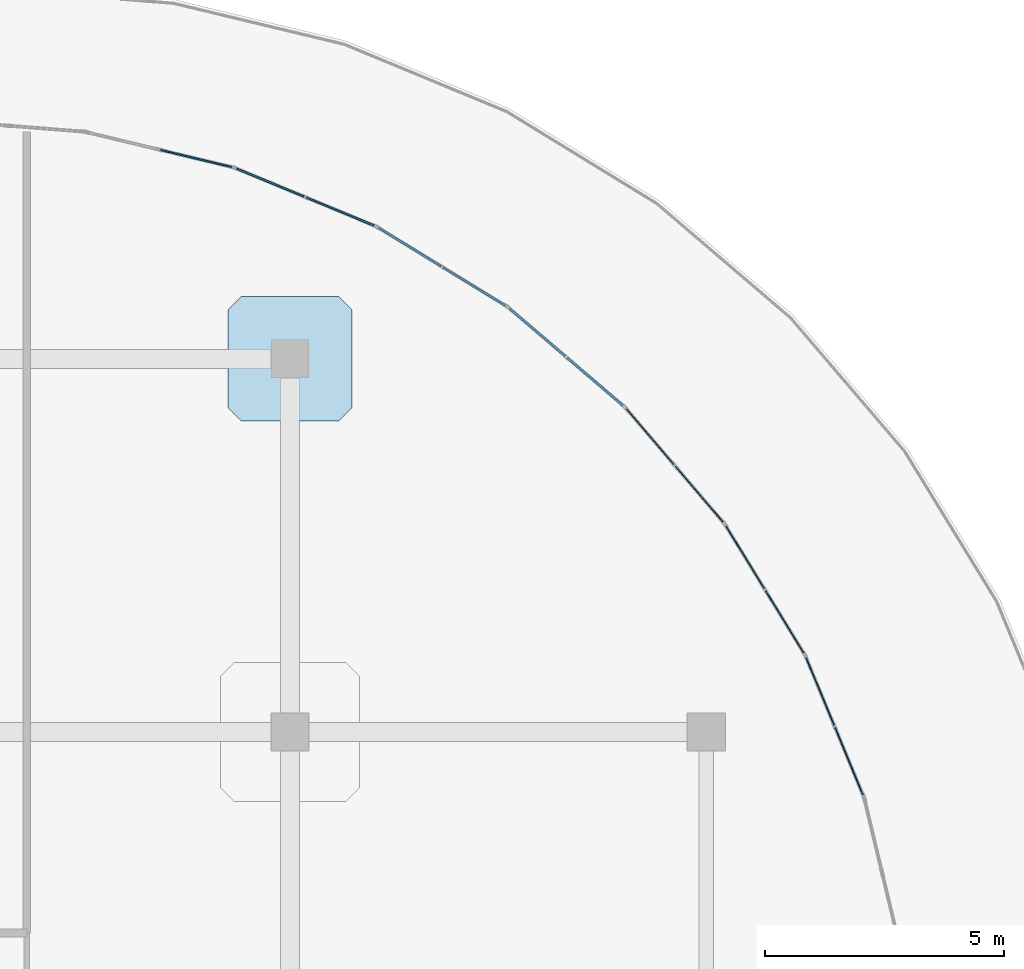
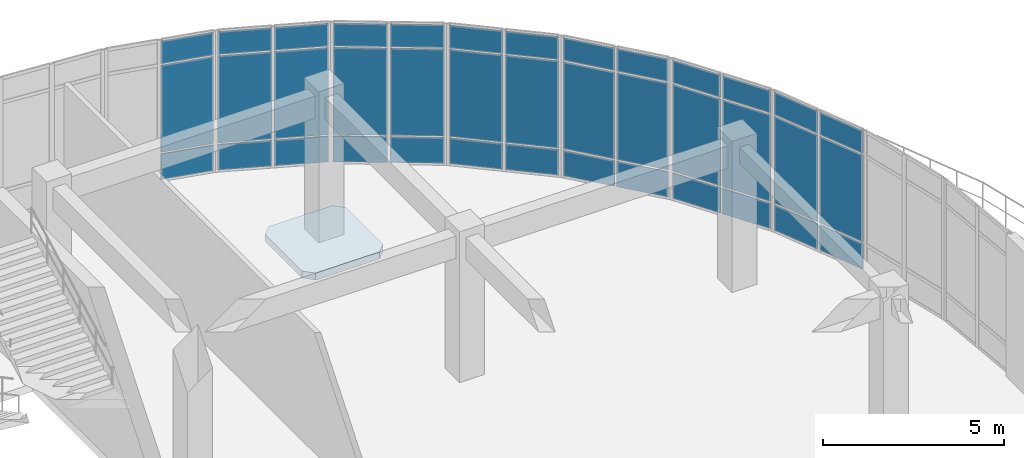
# One storey, part 103 of 124: 39 plates, 1 slab, 7 elements without a shape of their own.
"""IFC4 building model written with IfcOpenShell, lengths in metres."""

from ifc_helpers import new_model, si_unit, derived_unit, direction, frame, origin, origin_2d, place, context, subcontext, project, spatial, polyline, rectangle, outline, extrude, material, layer, layer_set, type_object, element, aggregate, save


model = new_model("IFC4")

# Units and contexts
model_context = context("Model", 3, precision=1e-05, world=origin(), true_north=direction((0.0, 1.0)))
body_context = subcontext(model_context, "Body", "Model", "MODEL_VIEW")
ifc_project = project(units=[si_unit("LENGTHUNIT", "METRE"), si_unit("AREAUNIT", "SQUARE_METRE"), si_unit("VOLUMEUNIT", "CUBIC_METRE"), si_unit("PLANEANGLEUNIT", "RADIAN"), si_unit("MASSUNIT", "GRAM", prefix="KILO"), derived_unit("THERMALTRANSMITTANCEUNIT", [(si_unit("MASSUNIT", "GRAM", prefix="KILO"), 1), (si_unit("TIMEUNIT", "SECOND"), -3), (si_unit("THERMODYNAMICTEMPERATUREUNIT", "KELVIN"), -1)])], contexts=[model_context])

# Site, building, storey
site_placement = place(None, origin())
site = spatial("IfcSite", under=ifc_project, at=site_placement, CompositionType="ELEMENT")
building_placement = place(site_placement, origin())
building = spatial("IfcBuilding", under=site, at=building_placement, Name="Qinzheling Arcade Emporium", CompositionType="ELEMENT")
storey_placement = place(building_placement, frame((0.0, 0.0, 16.5)))
storey = spatial("IfcBuildingStorey", under=building, at=storey_placement, Name="L04", CompositionType="ELEMENT", Elevation=16.5)

# Slab
ifc_material_1 = material(Name="Concrete C40", Category="concrete")
ifc_layer_1 = layer(ifc_material_1, 0.235107421875, Name="Concrete C40", Category="concrete")
ifc_layer_set_1 = layer_set([ifc_layer_1], Name="Concrete C40")
slab_type = type_object("IfcSlabType", Name="Column Head Drop Panel 2600x2600x235 C40", PredefinedType="USERDEFINED", material=ifc_layer_set_1)
slab_placement = place(storey_placement, frame((0.0, 0.0, -0.5)))
element("IfcSlab", 1, at=slab_placement, inside=storey, type_object=slab_type, Name="Column Drop Panel DP-L04-16-N", ObjectType="DROP_PANEL", PredefinedType="USERDEFINED", context=body_context, shape_type="SweptSolid", body=[
    extrude(outline(polyline([(129.47998046875, 105.5), (131.52001953125, 105.5), (131.800048828125, 105.780029296875), (131.800048828125, 107.820068359375), (131.52001953125, 108.10009765625), (129.47998046875, 108.10009765625), (129.199951171875, 107.820068359375), (129.199951171875, 105.780029296875), (129.47998046875, 105.5)])), origin(), (0.0, 0.0, 1.0), 0.235107421875),
])

# Curtain wall, plates
ifc_material_2 = material(Name="Anodised aluminium and solar-control double glazing", Category="aluminium")
ifc_layer_2 = layer(ifc_material_2, 0.159912109375, Name="Anodised aluminium and solar-control double glazing", Category="aluminium")
ifc_layer_set_2 = layer_set([ifc_layer_2], Name="Anodised aluminium and solar-control double glazing")
curtain_wall_type = type_object("IfcCurtainWallType", Name="Curved Ribbon Sales Curtain Wall", PredefinedType="NOTDEFINED", material=ifc_layer_set_2)
curtain_wall_1_placement = place(storey_placement, origin())
curtain_wall_1 = element("IfcCurtainWall", 2, at=curtain_wall_1_placement, inside=storey, type_object=curtain_wall_type, Name="Curtain Wall CW-L04-269", PredefinedType="NOTDEFINED")
ifc_material_3 = material(Name="Laminated solar-control double glazing", Category="glass")
ifc_layer_3 = layer(ifc_material_3, 0.02099609375, Name="Laminated solar-control double glazing", Category="glass")
ifc_layer_set_3 = layer_set([ifc_layer_3], Name="Laminated solar-control double glazing")
plate_type_1 = type_object("IfcPlateType", Name="Low-E Double Glazed Curtain Panel 21mm", PredefinedType="CURTAIN_PANEL", material=ifc_layer_set_3)
plate_1_placement = place(storey_placement, frame((138.028076171875, 105.173095703125, 0.06005859375), z_axis=(0.0, 0.0, 1.0), x_axis=(0.64943342373, -0.760418455945, 0.0)))
plate_1 = element("IfcPlate", 3, at=plate_1_placement, type_object=plate_type_1, Name="CW02 panel 1.1", PredefinedType="CURTAIN_PANEL", context=body_context, shape_type="SweptSolid", body=[
    extrude(rectangle(XDim=1.518310546875, YDim=0.02099609375, at=origin_2d()), origin(), (0.0, 0.0, 1.0), 0.860107421875),
])
plate_2_placement = place(storey_placement, frame((138.028076171875, 105.173095703125, 0.97998046875), z_axis=(0.0, 0.0, 1.0), x_axis=(0.64943342373, -0.760418455945, 0.0)))
plate_2 = element("IfcPlate", 4, at=plate_2_placement, type_object=plate_type_1, Name="CW02 panel 1.2", PredefinedType="CURTAIN_PANEL", context=body_context, shape_type="SweptSolid", body=[
    extrude(rectangle(XDim=1.518310546875, YDim=0.02099609375, at=origin_2d()), origin(), (0.0, 0.0, 1.0), 2.929931640625),
])
plate_3_placement = place(storey_placement, frame((138.028076171875, 105.173095703125, 3.97021484375), z_axis=(0.0, 0.0, 1.0), x_axis=(0.64943342373, -0.760418455945, 0.0)))
plate_3 = element("IfcPlate", 5, at=plate_3_placement, type_object=plate_type_1, Name="CW02 panel 1.3", PredefinedType="CURTAIN_PANEL", context=body_context, shape_type="SweptSolid", body=[
    extrude(rectangle(XDim=1.518310546875, YDim=0.02099609375, at=origin_2d()), origin(), (0.0, 0.0, 1.0), 0.760009765625),
])
plate_4_placement = place(storey_placement, frame((139.052978515625, 103.972900390625, 0.06005859375), z_axis=(0.0, 0.0, 1.0), x_axis=(0.64943342373, -0.760418455945, 0.0)))
plate_4 = element("IfcPlate", 6, at=plate_4_placement, type_object=plate_type_1, Name="CW02 panel 2.1", PredefinedType="CURTAIN_PANEL", context=body_context, shape_type="SweptSolid", body=[
    extrude(rectangle(XDim=1.518310546875, YDim=0.02099609375, at=origin_2d()), origin(), (0.0, 0.0, 1.0), 0.860107421875),
])
plate_5_placement = place(storey_placement, frame((139.052978515625, 103.972900390625, 0.97998046875), z_axis=(0.0, 0.0, 1.0), x_axis=(0.64943342373, -0.760418455945, 0.0)))
plate_5 = element("IfcPlate", 7, at=plate_5_placement, type_object=plate_type_1, Name="CW02 panel 2.2", PredefinedType="CURTAIN_PANEL", context=body_context, shape_type="SweptSolid", body=[
    extrude(rectangle(XDim=1.518310546875, YDim=0.02099609375, at=origin_2d()), origin(), (0.0, 0.0, 1.0), 2.929931640625),
])
plate_6_placement = place(storey_placement, frame((139.052978515625, 103.972900390625, 3.97021484375), z_axis=(0.0, 0.0, 1.0), x_axis=(0.64943342373, -0.760418455945, 0.0)))
plate_6 = element("IfcPlate", 8, at=plate_6_placement, type_object=plate_type_1, Name="CW02 panel 2.3", PredefinedType="CURTAIN_PANEL", context=body_context, shape_type="SweptSolid", body=[
    extrude(rectangle(XDim=1.518310546875, YDim=0.02099609375, at=origin_2d()), origin(), (0.0, 0.0, 1.0), 0.760009765625),
])
aggregate(curtain_wall_1, [plate_1, plate_2, plate_3, plate_4, plate_5, plate_6])

curtain_wall_2_placement = place(storey_placement, origin())
curtain_wall_2 = element("IfcCurtainWall", 9, at=curtain_wall_2_placement, inside=storey, type_object=curtain_wall_type, Name="Curtain Wall CW-L04-270", PredefinedType="NOTDEFINED")
ifc_layer_4 = layer(ifc_material_3, 0.02197265625, Name="Laminated solar-control double glazing", Category="glass")
ifc_layer_set_4 = layer_set([ifc_layer_4], Name="Laminated solar-control double glazing")
plate_type_2 = type_object("IfcPlateType", Name="Low-E Double Glazed Curtain Panel 22mm", PredefinedType="CURTAIN_PANEL", material=ifc_layer_set_4)
plate_7_placement = place(storey_placement, frame((140.01318359375, 102.6513671875, 0.06005859375), z_axis=(0.0, 0.0, 1.0), x_axis=(0.522518323638, -0.852628055756, 0.0)))
plate_7 = element("IfcPlate", 10, at=plate_7_placement, type_object=plate_type_2, Name="CW02 panel 1.1", PredefinedType="CURTAIN_PANEL", context=body_context, shape_type="SweptSolid", body=[
    extrude(rectangle(XDim=1.5185546875, YDim=0.02197265625, at=origin_2d()), origin(), (0.0, 0.0, 1.0), 0.860107421875),
])
plate_8_placement = place(storey_placement, frame((140.01318359375, 102.6513671875, 0.97998046875), z_axis=(0.0, 0.0, 1.0), x_axis=(0.522518323638, -0.852628055756, 0.0)))
plate_8 = element("IfcPlate", 11, at=plate_8_placement, type_object=plate_type_2, Name="CW02 panel 1.2", PredefinedType="CURTAIN_PANEL", context=body_context, shape_type="SweptSolid", body=[
    extrude(rectangle(XDim=1.5185546875, YDim=0.02197265625, at=origin_2d()), origin(), (0.0, 0.0, 1.0), 2.929931640625),
])
plate_9_placement = place(storey_placement, frame((140.01318359375, 102.6513671875, 3.97021484375), z_axis=(0.0, 0.0, 1.0), x_axis=(0.522518323638, -0.852628055756, 0.0)))
plate_9 = element("IfcPlate", 12, at=plate_9_placement, type_object=plate_type_2, Name="CW02 panel 1.3", PredefinedType="CURTAIN_PANEL", context=body_context, shape_type="SweptSolid", body=[
    extrude(rectangle(XDim=1.5185546875, YDim=0.02197265625, at=origin_2d()), origin(), (0.0, 0.0, 1.0), 0.760009765625),
])
plate_10_placement = place(storey_placement, frame((140.837890625, 101.305419921875, 0.06005859375), z_axis=(0.0, 0.0, 1.0), x_axis=(0.522518323638, -0.852628055756, 0.0)))
plate_10 = element("IfcPlate", 13, at=plate_10_placement, type_object=plate_type_2, Name="CW02 panel 2.1", PredefinedType="CURTAIN_PANEL", context=body_context, shape_type="SweptSolid", body=[
    extrude(rectangle(XDim=1.5185546875, YDim=0.02197265625, at=origin_2d()), origin(), (0.0, 0.0, 1.0), 0.860107421875),
])
plate_11_placement = place(storey_placement, frame((140.837890625, 101.305419921875, 0.97998046875), z_axis=(0.0, 0.0, 1.0), x_axis=(0.522518323638, -0.852628055756, 0.0)))
plate_11 = element("IfcPlate", 14, at=plate_11_placement, type_object=plate_type_2, Name="CW02 panel 2.2", PredefinedType="CURTAIN_PANEL", context=body_context, shape_type="SweptSolid", body=[
    extrude(rectangle(XDim=1.5185546875, YDim=0.02197265625, at=origin_2d()), origin(), (0.0, 0.0, 1.0), 2.929931640625),
])
plate_12_placement = place(storey_placement, frame((140.837890625, 101.305419921875, 3.97021484375), z_axis=(0.0, 0.0, 1.0), x_axis=(0.522518323638, -0.852628055756, 0.0)))
plate_12 = element("IfcPlate", 15, at=plate_12_placement, type_object=plate_type_2, Name="CW02 panel 2.3", PredefinedType="CURTAIN_PANEL", context=body_context, shape_type="SweptSolid", body=[
    extrude(rectangle(XDim=1.5185546875, YDim=0.02197265625, at=origin_2d()), origin(), (0.0, 0.0, 1.0), 0.760009765625),
])
aggregate(curtain_wall_2, [plate_7, plate_8, plate_9, plate_10, plate_11, plate_12])

curtain_wall_3_placement = place(storey_placement, origin())
curtain_wall_3 = element("IfcCurtainWall", 16, at=curtain_wall_3_placement, inside=storey, type_object=curtain_wall_type, Name="Curtain Wall CW-L04-271", PredefinedType="NOTDEFINED")
ifc_layer_5 = layer(ifc_material_3, 0.02392578125, Name="Laminated solar-control double glazing", Category="glass")
ifc_layer_set_5 = layer_set([ifc_layer_5], Name="Laminated solar-control double glazing")
plate_type_3 = type_object("IfcPlateType", Name="Low-E Double Glazed Curtain Panel 24mm", PredefinedType="CURTAIN_PANEL", material=ifc_layer_set_5)
plate_13_placement = place(storey_placement, frame((141.57958984375, 99.85009765625, 0.06005859375), z_axis=(0.0, 0.0, 1.0), x_axis=(0.38267210045, -0.923884226263, 0.0)))
plate_13 = element("IfcPlate", 17, at=plate_13_placement, type_object=plate_type_3, Name="CW02 panel 1.1", PredefinedType="CURTAIN_PANEL", context=body_context, shape_type="SweptSolid", body=[
    extrude(rectangle(XDim=1.518310546875, YDim=0.02392578125, at=origin_2d()), origin(), (0.0, 0.0, 1.0), 0.860107421875),
])
plate_14_placement = place(storey_placement, frame((141.57958984375, 99.85009765625, 0.97998046875), z_axis=(0.0, 0.0, 1.0), x_axis=(0.38267210045, -0.923884226263, 0.0)))
plate_14 = element("IfcPlate", 18, at=plate_14_placement, type_object=plate_type_3, Name="CW02 panel 1.2", PredefinedType="CURTAIN_PANEL", context=body_context, shape_type="SweptSolid", body=[
    extrude(rectangle(XDim=1.518310546875, YDim=0.02392578125, at=origin_2d()), origin(), (0.0, 0.0, 1.0), 2.929931640625),
])
plate_15_placement = place(storey_placement, frame((141.57958984375, 99.85009765625, 3.97021484375), z_axis=(0.0, 0.0, 1.0), x_axis=(0.38267210045, -0.923884226263, 0.0)))
plate_15 = element("IfcPlate", 19, at=plate_15_placement, type_object=plate_type_3, Name="CW02 panel 1.3", PredefinedType="CURTAIN_PANEL", context=body_context, shape_type="SweptSolid", body=[
    extrude(rectangle(XDim=1.518310546875, YDim=0.02392578125, at=origin_2d()), origin(), (0.0, 0.0, 1.0), 0.760009765625),
])
plate_16_placement = place(storey_placement, frame((142.18359375, 98.391845703125, 0.06005859375), z_axis=(0.0, 0.0, 1.0), x_axis=(0.38267210045, -0.923884226263, 0.0)))
plate_16 = element("IfcPlate", 20, at=plate_16_placement, type_object=plate_type_3, Name="CW02 panel 2.1", PredefinedType="CURTAIN_PANEL", context=body_context, shape_type="SweptSolid", body=[
    extrude(rectangle(XDim=1.518310546875, YDim=0.02392578125, at=origin_2d()), origin(), (0.0, 0.0, 1.0), 0.860107421875),
])
plate_17_placement = place(storey_placement, frame((142.18359375, 98.391845703125, 0.97998046875), z_axis=(0.0, 0.0, 1.0), x_axis=(0.38267210045, -0.923884226263, 0.0)))
plate_17 = element("IfcPlate", 21, at=plate_17_placement, type_object=plate_type_3, Name="CW02 panel 2.2", PredefinedType="CURTAIN_PANEL", context=body_context, shape_type="SweptSolid", body=[
    extrude(rectangle(XDim=1.518310546875, YDim=0.02392578125, at=origin_2d()), origin(), (0.0, 0.0, 1.0), 2.929931640625),
])
plate_18_placement = place(storey_placement, frame((142.18359375, 98.391845703125, 3.97021484375), z_axis=(0.0, 0.0, 1.0), x_axis=(0.38267210045, -0.923884226263, 0.0)))
plate_18 = element("IfcPlate", 22, at=plate_18_placement, type_object=plate_type_3, Name="CW02 panel 2.3", PredefinedType="CURTAIN_PANEL", context=body_context, shape_type="SweptSolid", body=[
    extrude(rectangle(XDim=1.518310546875, YDim=0.02392578125, at=origin_2d()), origin(), (0.0, 0.0, 1.0), 0.760009765625),
])
aggregate(curtain_wall_3, [plate_13, plate_14, plate_15, plate_16, plate_17, plate_18])

curtain_wall_4_placement = place(storey_placement, origin())
curtain_wall_4 = element("IfcCurtainWall", 23, at=curtain_wall_4_placement, inside=storey, type_object=curtain_wall_type, Name="Curtain Wall CW-L04-265", PredefinedType="NOTDEFINED")
ifc_layer_6 = layer(ifc_material_3, 0.035888671875, Name="Laminated solar-control double glazing", Category="glass")
ifc_layer_set_6 = layer_set([ifc_layer_6], Name="Laminated solar-control double glazing")
plate_type_4 = type_object("IfcPlateType", Name="Low-E Double Glazed Curtain Panel 36mm", PredefinedType="CURTAIN_PANEL", material=ifc_layer_set_6)
plate_19_placement = place(storey_placement, frame((128.538330078125, 110.98828125, 0.06005859375), z_axis=(0.0, 0.0, 1.0), x_axis=(0.972367546477, -0.233455251725, 0.0)))
plate_19 = element("IfcPlate", 24, at=plate_19_placement, type_object=plate_type_4, Name="CW02 panel 2.1", PredefinedType="CURTAIN_PANEL", context=body_context, shape_type="SweptSolid", body=[
    extrude(rectangle(XDim=1.5185546875, YDim=0.035888671875, at=origin_2d()), origin(), (0.0, 0.0, 1.0), 0.860107421875),
])
plate_20_placement = place(storey_placement, frame((128.538330078125, 110.98828125, 0.97998046875), z_axis=(0.0, 0.0, 1.0), x_axis=(0.972367546477, -0.233455251725, 0.0)))
plate_20 = element("IfcPlate", 25, at=plate_20_placement, type_object=plate_type_4, Name="CW02 panel 2.2", PredefinedType="CURTAIN_PANEL", context=body_context, shape_type="SweptSolid", body=[
    extrude(rectangle(XDim=1.5185546875, YDim=0.035888671875, at=origin_2d()), origin(), (0.0, 0.0, 1.0), 2.929931640625),
])
plate_21_placement = place(storey_placement, frame((128.538330078125, 110.98828125, 3.97021484375), z_axis=(0.0, 0.0, 1.0), x_axis=(0.972367546477, -0.233455251725, 0.0)))
plate_21 = element("IfcPlate", 26, at=plate_21_placement, type_object=plate_type_4, Name="CW02 panel 2.3", PredefinedType="CURTAIN_PANEL", context=body_context, shape_type="SweptSolid", body=[
    extrude(rectangle(XDim=1.5185546875, YDim=0.035888671875, at=origin_2d()), origin(), (0.0, 0.0, 1.0), 0.760009765625),
])
aggregate(curtain_wall_4, [plate_19, plate_20, plate_21])

curtain_wall_5_placement = place(storey_placement, origin())
curtain_wall_5 = element("IfcCurtainWall", 27, at=curtain_wall_5_placement, inside=storey, type_object=curtain_wall_type, Name="Curtain Wall CW-L04-266", PredefinedType="NOTDEFINED")
ifc_layer_7 = layer(ifc_material_3, 0.0380859375, Name="Laminated solar-control double glazing", Category="glass")
ifc_layer_set_7 = layer_set([ifc_layer_7], Name="Laminated solar-control double glazing")
plate_type_5 = type_object("IfcPlateType", Name="Low-E Double Glazed Curtain Panel 38mm", PredefinedType="CURTAIN_PANEL", material=ifc_layer_set_7)
plate_22_placement = place(storey_placement, frame((130.091796875, 110.4833984375, 0.06005859375), z_axis=(0.0, 0.0, 1.0), x_axis=(0.923884226263, -0.38267210045, 0.0)))
plate_22 = element("IfcPlate", 28, at=plate_22_placement, type_object=plate_type_5, Name="CW02 panel 1.1", PredefinedType="CURTAIN_PANEL", context=body_context, shape_type="SweptSolid", body=[
    extrude(rectangle(XDim=1.518310546875, YDim=0.0380859375, at=origin_2d()), origin(), (0.0, 0.0, 1.0), 0.860107421875),
])
plate_23_placement = place(storey_placement, frame((130.091796875, 110.4833984375, 0.97998046875), z_axis=(0.0, 0.0, 1.0), x_axis=(0.923884226263, -0.38267210045, 0.0)))
plate_23 = element("IfcPlate", 29, at=plate_23_placement, type_object=plate_type_5, Name="CW02 panel 1.2", PredefinedType="CURTAIN_PANEL", context=body_context, shape_type="SweptSolid", body=[
    extrude(rectangle(XDim=1.518310546875, YDim=0.0380859375, at=origin_2d()), origin(), (0.0, 0.0, 1.0), 2.929931640625),
])
plate_24_placement = place(storey_placement, frame((130.091796875, 110.4833984375, 3.97021484375), z_axis=(0.0, 0.0, 1.0), x_axis=(0.923884226263, -0.38267210045, 0.0)))
plate_24 = element("IfcPlate", 30, at=plate_24_placement, type_object=plate_type_5, Name="CW02 panel 1.3", PredefinedType="CURTAIN_PANEL", context=body_context, shape_type="SweptSolid", body=[
    extrude(rectangle(XDim=1.518310546875, YDim=0.0380859375, at=origin_2d()), origin(), (0.0, 0.0, 1.0), 0.760009765625),
])
plate_25_placement = place(storey_placement, frame((131.550048828125, 109.87939453125, 0.06005859375), z_axis=(0.0, 0.0, 1.0), x_axis=(0.923884226263, -0.38267210045, 0.0)))
plate_25 = element("IfcPlate", 31, at=plate_25_placement, type_object=plate_type_5, Name="CW02 panel 2.1", PredefinedType="CURTAIN_PANEL", context=body_context, shape_type="SweptSolid", body=[
    extrude(rectangle(XDim=1.518310546875, YDim=0.0380859375, at=origin_2d()), origin(), (0.0, 0.0, 1.0), 0.860107421875),
])
plate_26_placement = place(storey_placement, frame((131.550048828125, 109.87939453125, 0.97998046875), z_axis=(0.0, 0.0, 1.0), x_axis=(0.923884226263, -0.38267210045, 0.0)))
plate_26 = element("IfcPlate", 32, at=plate_26_placement, type_object=plate_type_5, Name="CW02 panel 2.2", PredefinedType="CURTAIN_PANEL", context=body_context, shape_type="SweptSolid", body=[
    extrude(rectangle(XDim=1.518310546875, YDim=0.0380859375, at=origin_2d()), origin(), (0.0, 0.0, 1.0), 2.929931640625),
])
plate_27_placement = place(storey_placement, frame((131.550048828125, 109.87939453125, 3.97021484375), z_axis=(0.0, 0.0, 1.0), x_axis=(0.923884226263, -0.38267210045, 0.0)))
plate_27 = element("IfcPlate", 33, at=plate_27_placement, type_object=plate_type_5, Name="CW02 panel 2.3", PredefinedType="CURTAIN_PANEL", context=body_context, shape_type="SweptSolid", body=[
    extrude(rectangle(XDim=1.518310546875, YDim=0.0380859375, at=origin_2d()), origin(), (0.0, 0.0, 1.0), 0.760009765625),
])
aggregate(curtain_wall_5, [plate_22, plate_23, plate_24, plate_25, plate_26, plate_27])

curtain_wall_6_placement = place(storey_placement, origin())
curtain_wall_6 = element("IfcCurtainWall", 34, at=curtain_wall_6_placement, inside=storey, type_object=curtain_wall_type, Name="Curtain Wall CW-L04-267", PredefinedType="NOTDEFINED")
ifc_layer_8 = layer(ifc_material_3, 0.0400390625, Name="Laminated solar-control double glazing", Category="glass")
ifc_layer_set_8 = layer_set([ifc_layer_8], Name="Laminated solar-control double glazing")
plate_type_6 = type_object("IfcPlateType", Name="Low-E Double Glazed Curtain Panel 40mm", PredefinedType="CURTAIN_PANEL", material=ifc_layer_set_8)
plate_28_placement = place(storey_placement, frame((133.005615234375, 109.137939453125, 0.06005859375), z_axis=(0.0, 0.0, 1.0), x_axis=(0.852628055756, -0.522518323638, 0.0)))
plate_28 = element("IfcPlate", 35, at=plate_28_placement, type_object=plate_type_6, Name="CW02 panel 1.1", PredefinedType="CURTAIN_PANEL", context=body_context, shape_type="SweptSolid", body=[
    extrude(rectangle(XDim=1.5185546875, YDim=0.0400390625, at=origin_2d()), origin(), (0.0, 0.0, 1.0), 0.860107421875),
])
plate_29_placement = place(storey_placement, frame((133.005615234375, 109.137939453125, 0.97998046875), z_axis=(0.0, 0.0, 1.0), x_axis=(0.852628055756, -0.522518323638, 0.0)))
plate_29 = element("IfcPlate", 36, at=plate_29_placement, type_object=plate_type_6, Name="CW02 panel 1.2", PredefinedType="CURTAIN_PANEL", context=body_context, shape_type="SweptSolid", body=[
    extrude(rectangle(XDim=1.5185546875, YDim=0.0400390625, at=origin_2d()), origin(), (0.0, 0.0, 1.0), 2.929931640625),
])
plate_30_placement = place(storey_placement, frame((133.005615234375, 109.137939453125, 3.97021484375), z_axis=(0.0, 0.0, 1.0), x_axis=(0.852628055756, -0.522518323638, 0.0)))
plate_30 = element("IfcPlate", 37, at=plate_30_placement, type_object=plate_type_6, Name="CW02 panel 1.3", PredefinedType="CURTAIN_PANEL", context=body_context, shape_type="SweptSolid", body=[
    extrude(rectangle(XDim=1.5185546875, YDim=0.0400390625, at=origin_2d()), origin(), (0.0, 0.0, 1.0), 0.760009765625),
])
plate_31_placement = place(storey_placement, frame((134.3515625, 108.31298828125, 0.06005859375), z_axis=(0.0, 0.0, 1.0), x_axis=(0.852628055756, -0.522518323638, 0.0)))
plate_31 = element("IfcPlate", 38, at=plate_31_placement, type_object=plate_type_6, Name="CW02 panel 2.1", PredefinedType="CURTAIN_PANEL", context=body_context, shape_type="SweptSolid", body=[
    extrude(rectangle(XDim=1.5185546875, YDim=0.0400390625, at=origin_2d()), origin(), (0.0, 0.0, 1.0), 0.860107421875),
])
plate_32_placement = place(storey_placement, frame((134.3515625, 108.31298828125, 0.97998046875), z_axis=(0.0, 0.0, 1.0), x_axis=(0.852628055756, -0.522518323638, 0.0)))
plate_32 = element("IfcPlate", 39, at=plate_32_placement, type_object=plate_type_6, Name="CW02 panel 2.2", PredefinedType="CURTAIN_PANEL", context=body_context, shape_type="SweptSolid", body=[
    extrude(rectangle(XDim=1.5185546875, YDim=0.0400390625, at=origin_2d()), origin(), (0.0, 0.0, 1.0), 2.929931640625),
])
plate_33_placement = place(storey_placement, frame((134.3515625, 108.31298828125, 3.97021484375), z_axis=(0.0, 0.0, 1.0), x_axis=(0.852628055756, -0.522518323638, 0.0)))
plate_33 = element("IfcPlate", 40, at=plate_33_placement, type_object=plate_type_6, Name="CW02 panel 2.3", PredefinedType="CURTAIN_PANEL", context=body_context, shape_type="SweptSolid", body=[
    extrude(rectangle(XDim=1.5185546875, YDim=0.0400390625, at=origin_2d()), origin(), (0.0, 0.0, 1.0), 0.760009765625),
])
aggregate(curtain_wall_6, [plate_28, plate_29, plate_30, plate_31, plate_32, plate_33])

curtain_wall_7_placement = place(storey_placement, origin())
curtain_wall_7 = element("IfcCurtainWall", 41, at=curtain_wall_7_placement, inside=storey, type_object=curtain_wall_type, Name="Curtain Wall CW-L04-268", PredefinedType="NOTDEFINED")
ifc_layer_9 = layer(ifc_material_3, 0.0419921875, Name="Laminated solar-control double glazing", Category="glass")
ifc_layer_set_9 = layer_set([ifc_layer_9], Name="Laminated solar-control double glazing")
plate_type_7 = type_object("IfcPlateType", Name="Low-E Double Glazed Curtain Panel 42mm", PredefinedType="CURTAIN_PANEL", material=ifc_layer_set_9)
plate_34_placement = place(storey_placement, frame((135.6728515625, 107.35302734375, 0.06005859375), z_axis=(0.0, 0.0, 1.0), x_axis=(0.760418455945, -0.64943342373, 0.0)))
plate_34 = element("IfcPlate", 42, at=plate_34_placement, type_object=plate_type_7, Name="CW02 panel 1.1", PredefinedType="CURTAIN_PANEL", context=body_context, shape_type="SweptSolid", body=[
    extrude(rectangle(XDim=1.518310546875, YDim=0.0419921875, at=origin_2d()), origin(), (0.0, 0.0, 1.0), 0.860107421875),
])
plate_35_placement = place(storey_placement, frame((135.6728515625, 107.35302734375, 0.97998046875), z_axis=(0.0, 0.0, 1.0), x_axis=(0.760418455945, -0.64943342373, 0.0)))
plate_35 = element("IfcPlate", 43, at=plate_35_placement, type_object=plate_type_7, Name="CW02 panel 1.2", PredefinedType="CURTAIN_PANEL", context=body_context, shape_type="SweptSolid", body=[
    extrude(rectangle(XDim=1.518310546875, YDim=0.0419921875, at=origin_2d()), origin(), (0.0, 0.0, 1.0), 2.929931640625),
])
plate_36_placement = place(storey_placement, frame((135.6728515625, 107.35302734375, 3.97021484375), z_axis=(0.0, 0.0, 1.0), x_axis=(0.760418455945, -0.64943342373, 0.0)))
plate_36 = element("IfcPlate", 44, at=plate_36_placement, type_object=plate_type_7, Name="CW02 panel 1.3", PredefinedType="CURTAIN_PANEL", context=body_context, shape_type="SweptSolid", body=[
    extrude(rectangle(XDim=1.518310546875, YDim=0.0419921875, at=origin_2d()), origin(), (0.0, 0.0, 1.0), 0.760009765625),
])
plate_37_placement = place(storey_placement, frame((136.873046875, 106.327880859375, 0.06005859375), z_axis=(0.0, 0.0, 1.0), x_axis=(0.760418455945, -0.64943342373, 0.0)))
plate_37 = element("IfcPlate", 45, at=plate_37_placement, type_object=plate_type_7, Name="CW02 panel 2.1", PredefinedType="CURTAIN_PANEL", context=body_context, shape_type="SweptSolid", body=[
    extrude(rectangle(XDim=1.518310546875, YDim=0.0419921875, at=origin_2d()), origin(), (0.0, 0.0, 1.0), 0.860107421875),
])
plate_38_placement = place(storey_placement, frame((136.873046875, 106.327880859375, 0.97998046875), z_axis=(0.0, 0.0, 1.0), x_axis=(0.760418455945, -0.64943342373, 0.0)))
plate_38 = element("IfcPlate", 46, at=plate_38_placement, type_object=plate_type_7, Name="CW02 panel 2.2", PredefinedType="CURTAIN_PANEL", context=body_context, shape_type="SweptSolid", body=[
    extrude(rectangle(XDim=1.518310546875, YDim=0.0419921875, at=origin_2d()), origin(), (0.0, 0.0, 1.0), 2.929931640625),
])
plate_39_placement = place(storey_placement, frame((136.873046875, 106.327880859375, 3.97021484375), z_axis=(0.0, 0.0, 1.0), x_axis=(0.760418455945, -0.64943342373, 0.0)))
plate_39 = element("IfcPlate", 47, at=plate_39_placement, type_object=plate_type_7, Name="CW02 panel 2.3", PredefinedType="CURTAIN_PANEL", context=body_context, shape_type="SweptSolid", body=[
    extrude(rectangle(XDim=1.518310546875, YDim=0.0419921875, at=origin_2d()), origin(), (0.0, 0.0, 1.0), 0.760009765625),
])
aggregate(curtain_wall_7, [plate_34, plate_35, plate_36, plate_37, plate_38, plate_39])

save(model, "model.ifc")
